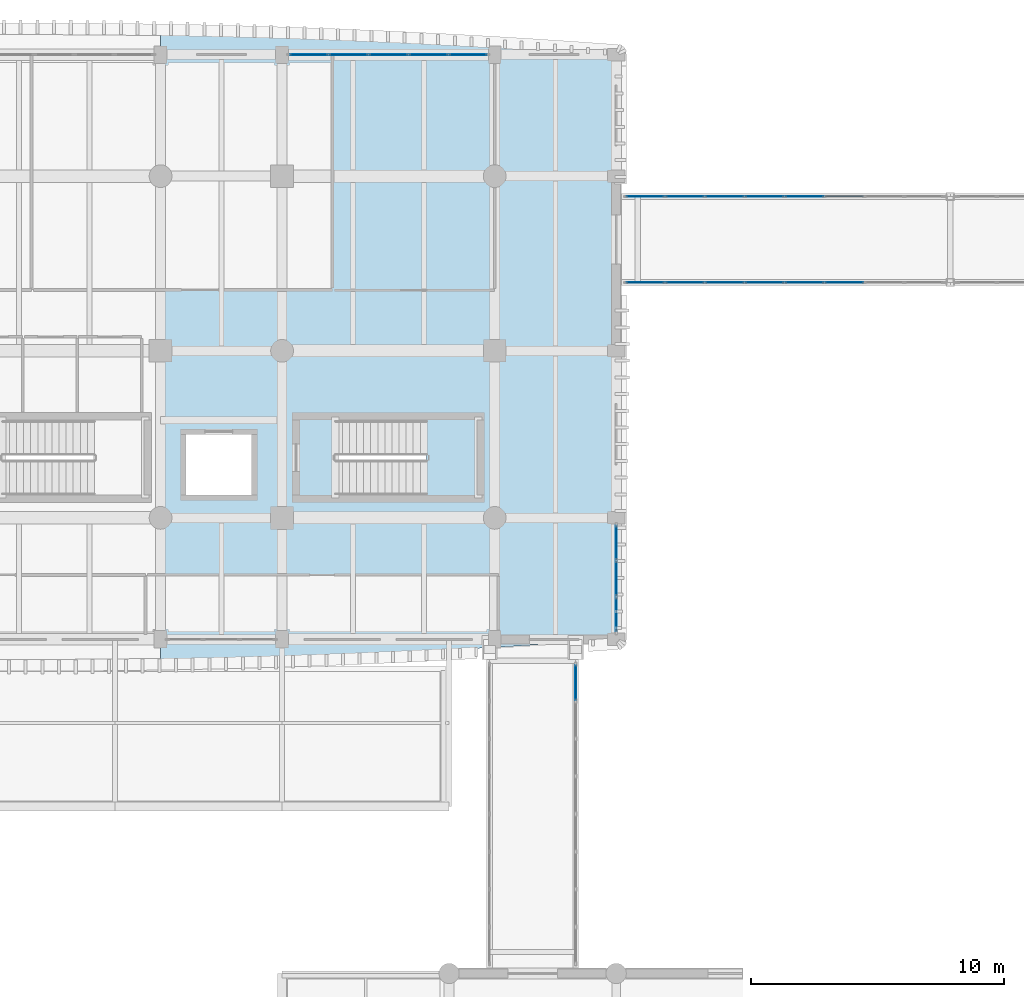
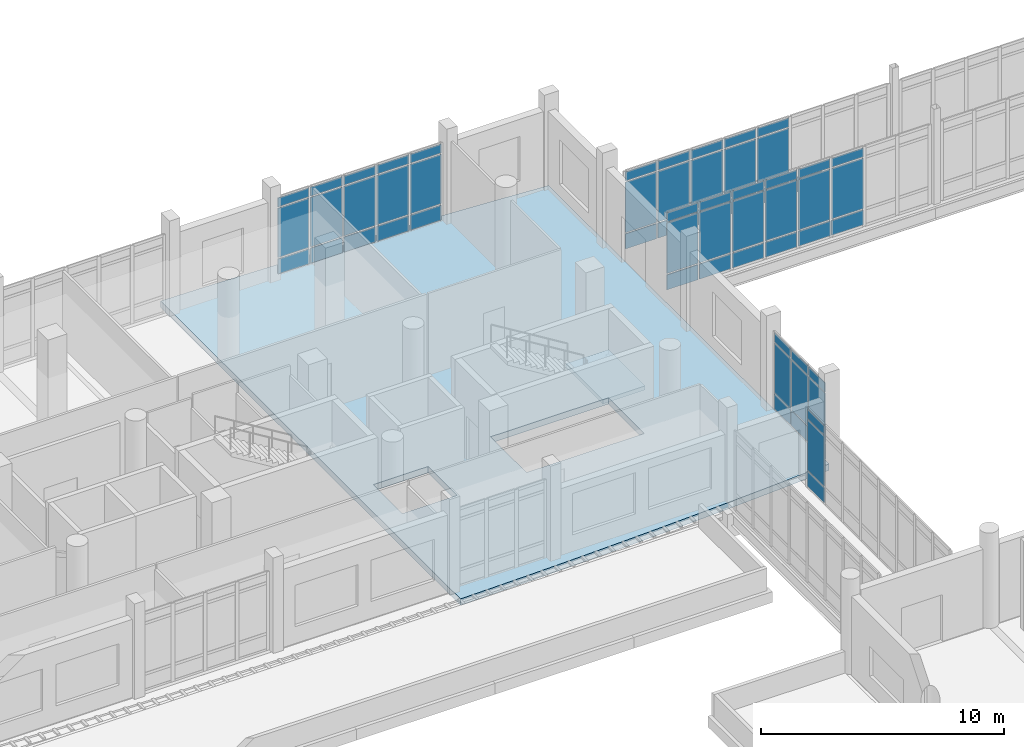
# One storey, part 68 of 125: 61 plates, 2 slabs, 6 elements without a shape of their own.
"""IFC4 building model written with IfcOpenShell, lengths in metres."""

from ifc_helpers import new_model, si_unit, direction, frame, origin, origin_2d, place, context, subcontext, project, spatial, polyline, rectangle, outline, extrude, material, layer, layer_set, type_object, element, aggregate, save


model = new_model("IFC4")

# Units and contexts
model_context = context("Model", 3, precision=1e-05, world=origin(), true_north=direction((0.0, 1.0)))
body_context = subcontext(model_context, "Body", "Model", "MODEL_VIEW")
ifc_project = project(units=[si_unit("LENGTHUNIT", "METRE"), si_unit("AREAUNIT", "SQUARE_METRE"), si_unit("VOLUMEUNIT", "CUBIC_METRE"), si_unit("PLANEANGLEUNIT", "RADIAN"), si_unit("MASSUNIT", "GRAM", prefix="KILO")], contexts=[model_context])

# Site, building, storey
site_placement = place(None, origin())
site = spatial("IfcSite", under=ifc_project, at=site_placement, CompositionType="ELEMENT")
building_placement = place(site_placement, origin())
building = spatial("IfcBuilding", under=site, at=building_placement, Name="Dornvale Research Institute", CompositionType="ELEMENT")
storey_placement = place(building_placement, frame((0.0, 0.0, 5.39990234375)))
storey = spatial("IfcBuildingStorey", under=building, at=storey_placement, Name="L01", CompositionType="ELEMENT", Elevation=5.39990234375)

# Curtain wall, plates
ifc_material_1 = material(Name="Low-E Argon Double Insulating Glazing Unit", Category="glass")
curtain_wall_type_1 = type_object("IfcCurtainWallType", Name="UnitisedCurtainWall_V5_7900x3950", PredefinedType="USERDEFINED", material=ifc_material_1)
curtain_wall_1_placement = place(storey_placement, origin())
curtain_wall_1 = element("IfcCurtainWall", 1, at=curtain_wall_1_placement, inside=storey, type_object=curtain_wall_type_1, Name="L01 V5 unitised curtain wall CW-24 #135", ObjectType="UNITISED CURTAIN WALL", PredefinedType="USERDEFINED")
ifc_material_2 = material(Name="Insulated Ceramic-Frit Spandrel Glass Panel", Category="glass")
ifc_layer_1 = layer(ifc_material_2, 0.0419921875)
ifc_layer_set_1 = layer_set([ifc_layer_1], Name="Insulated Ceramic-Frit Spandrel Glass Panel")
plate_type_1 = type_object("IfcPlateType", Name="CurtainPanel_Spandrel_42", PredefinedType="CURTAIN_PANEL", material=ifc_layer_set_1)
plate_1_placement = place(storey_placement, frame((34.05615234375, 122.10009765625, 0.065185546875), z_axis=(0.0, 0.0, 1.0), x_axis=(1.0, 0.0, 0.0)))
plate_1 = element("IfcPlate", 2, at=plate_1_placement, type_object=plate_type_1, Name="CW-24 panel 1.1", PredefinedType="CURTAIN_PANEL", context=body_context, shape_type="SweptSolid", body=[
    extrude(rectangle(XDim=1.482421875, YDim=0.0419921875, at=origin_2d()), origin(), (0.0, 0.0, 1.0), 0.75244140625),
])
plate_2_placement = place(storey_placement, frame((35.6201171875, 122.10009765625, 0.065185546875), z_axis=(0.0, 0.0, 1.0), x_axis=(1.0, 0.0, 0.0)))
plate_2 = element("IfcPlate", 3, at=plate_2_placement, type_object=plate_type_1, Name="CW-24 panel 2.1", PredefinedType="CURTAIN_PANEL", context=body_context, shape_type="SweptSolid", body=[
    extrude(rectangle(XDim=1.514892578125, YDim=0.0419921875, at=origin_2d()), origin(), (0.0, 0.0, 1.0), 0.75244140625),
])
plate_3_placement = place(storey_placement, frame((37.199951171875, 122.10009765625, 0.065185546875), z_axis=(0.0, 0.0, 1.0), x_axis=(1.0, 0.0, 0.0)))
plate_3 = element("IfcPlate", 4, at=plate_3_placement, type_object=plate_type_1, Name="CW-24 panel 3.1", PredefinedType="CURTAIN_PANEL", context=body_context, shape_type="SweptSolid", body=[
    extrude(rectangle(XDim=1.514892578125, YDim=0.0419921875, at=origin_2d()), origin(), (0.0, 0.0, 1.0), 0.75244140625),
])
plate_4_placement = place(storey_placement, frame((38.780029296875, 122.10009765625, 0.065185546875), z_axis=(0.0, 0.0, 1.0), x_axis=(1.0, 0.0, 0.0)))
plate_4 = element("IfcPlate", 5, at=plate_4_placement, type_object=plate_type_1, Name="CW-24 panel 4.1", PredefinedType="CURTAIN_PANEL", context=body_context, shape_type="SweptSolid", body=[
    extrude(rectangle(XDim=1.514892578125, YDim=0.0419921875, at=origin_2d()), origin(), (0.0, 0.0, 1.0), 0.75244140625),
])
plate_5_placement = place(storey_placement, frame((40.34375, 122.10009765625, 0.065185546875), z_axis=(0.0, 0.0, 1.0), x_axis=(1.0, 0.0, 0.0)))
plate_5 = element("IfcPlate", 6, at=plate_5_placement, type_object=plate_type_1, Name="CW-24 panel 5.1", PredefinedType="CURTAIN_PANEL", context=body_context, shape_type="SweptSolid", body=[
    extrude(rectangle(XDim=1.482421875, YDim=0.0419921875, at=origin_2d()), origin(), (0.0, 0.0, 1.0), 0.75244140625),
])

ifc_material_3 = material(Name="Low-E Argon Double Insulating Glazing Unit", Category="glass")
curtain_wall_type_2 = type_object("IfcCurtainWallType", Name="UnitisedCurtainWall_V5_4300x3950", PredefinedType="USERDEFINED", material=ifc_material_3)
curtain_wall_2_placement = place(storey_placement, origin())
curtain_wall_2 = element("IfcCurtainWall", 7, at=curtain_wall_2_placement, inside=storey, type_object=curtain_wall_type_2, Name="L01 V5 unitised curtain wall CW-25 #136", ObjectType="UNITISED CURTAIN WALL", PredefinedType="USERDEFINED")
plate_6_placement = place(storey_placement, frame((46.199951171875, 102.817138671875, 0.065185546875), z_axis=(0.0, 0.0, 1.0), x_axis=(0.0, -1.0, 0.0)))
plate_6 = element("IfcPlate", 8, at=plate_6_placement, type_object=plate_type_1, Name="CW-25 panel 1.1", PredefinedType="CURTAIN_PANEL", context=body_context, shape_type="SweptSolid", body=[
    extrude(rectangle(XDim=1.3359375, YDim=0.0419921875, at=origin_2d()), origin(), (0.0, 0.0, 1.0), 0.75244140625),
])
plate_7_placement = place(storey_placement, frame((46.199951171875, 101.39990234375, 0.065185546875), z_axis=(0.0, 0.0, 1.0), x_axis=(0.0, -1.0, 0.0)))
plate_7 = element("IfcPlate", 9, at=plate_7_placement, type_object=plate_type_1, Name="CW-25 panel 2.1", PredefinedType="CURTAIN_PANEL", context=body_context, shape_type="SweptSolid", body=[
    extrude(rectangle(XDim=1.368408203125, YDim=0.0419921875, at=origin_2d()), origin(), (0.0, 0.0, 1.0), 0.75244140625),
])
plate_8_placement = place(storey_placement, frame((46.199951171875, 99.98291015625, 0.065185546875), z_axis=(0.0, 0.0, 1.0), x_axis=(0.0, -1.0, 0.0)))
plate_8 = element("IfcPlate", 10, at=plate_8_placement, type_object=plate_type_1, Name="CW-25 panel 3.1", PredefinedType="CURTAIN_PANEL", context=body_context, shape_type="SweptSolid", body=[
    extrude(rectangle(XDim=1.3359375, YDim=0.0419921875, at=origin_2d()), origin(), (0.0, 0.0, 1.0), 0.75244140625),
])

# Curtain wall, plate
ifc_material_4 = material(Name="Low-E Argon Double Insulating Glazing Unit", Category="glass")
curtain_wall_type_3 = type_object("IfcCurtainWallType", Name="UnitisedCurtainWall_V2_11900x4000", PredefinedType="USERDEFINED", material=ifc_material_4)
curtain_wall_3_placement = place(storey_placement, origin())
curtain_wall_3 = element("IfcCurtainWall", 11, at=curtain_wall_3_placement, inside=storey, type_object=curtain_wall_type_3, Name="L01 V2 unitised curtain wall CW-40 #208", ObjectType="UNITISED CURTAIN WALL", PredefinedType="USERDEFINED")
plate_9_placement = place(storey_placement, frame((44.60009765625, 97.2900390625, 0.065185546875), z_axis=(0.0, 0.0, 1.0), x_axis=(0.0, -1.0, 0.0)))
plate_9 = element("IfcPlate", 12, at=plate_9_placement, type_object=plate_type_1, Name="CW-40 panel 1.1", PredefinedType="CURTAIN_PANEL", context=body_context, shape_type="SweptSolid", body=[
    extrude(rectangle(XDim=1.389892578125, YDim=0.0419921875, at=origin_2d()), origin(), (0.0, 0.0, 1.0), 0.75244140625),
])

# Curtain wall, plates
ifc_material_5 = material(Name="Low-E Argon Double Insulating Glazing Unit", Category="glass")
curtain_wall_type_4 = type_object("IfcCurtainWallType", Name="UnitisedCurtainWall_V2_12600x4000", PredefinedType="USERDEFINED", material=ifc_material_5)
curtain_wall_4_placement = place(storey_placement, origin())
curtain_wall_4 = element("IfcCurtainWall", 13, at=curtain_wall_4_placement, inside=storey, type_object=curtain_wall_type_4, Name="L01 V2 unitised curtain wall CW-41 #211", ObjectType="UNITISED CURTAIN WALL", PredefinedType="USERDEFINED")
plate_10_placement = place(storey_placement, frame((47.353759765625, 116.5, 0.065185546875), z_axis=(0.0, 0.0, 1.0), x_axis=(1.0, 0.0, 0.0)))
plate_10 = element("IfcPlate", 14, at=plate_10_placement, type_object=plate_type_1, Name="CW-41 panel 1.1", PredefinedType="CURTAIN_PANEL", context=body_context, shape_type="SweptSolid", body=[
    extrude(rectangle(XDim=1.4775390625, YDim=0.0419921875, at=origin_2d()), origin(), (0.0, 0.0, 1.0), 0.75244140625),
])
plate_11_placement = place(storey_placement, frame((48.91259765625, 116.5, 0.065185546875), z_axis=(0.0, 0.0, 1.0), x_axis=(1.0, 0.0, 0.0)))
plate_11 = element("IfcPlate", 15, at=plate_11_placement, type_object=plate_type_1, Name="CW-41 panel 2.1", PredefinedType="CURTAIN_PANEL", context=body_context, shape_type="SweptSolid", body=[
    extrude(rectangle(XDim=1.510009765625, YDim=0.0419921875, at=origin_2d()), origin(), (0.0, 0.0, 1.0), 0.75244140625),
])
plate_12_placement = place(storey_placement, frame((50.487548828125, 116.5, 0.065185546875), z_axis=(0.0, 0.0, 1.0), x_axis=(1.0, 0.0, 0.0)))
plate_12 = element("IfcPlate", 16, at=plate_12_placement, type_object=plate_type_1, Name="CW-41 panel 3.1", PredefinedType="CURTAIN_PANEL", context=body_context, shape_type="SweptSolid", body=[
    extrude(rectangle(XDim=1.510009765625, YDim=0.0419921875, at=origin_2d()), origin(), (0.0, 0.0, 1.0), 0.75244140625),
])
plate_13_placement = place(storey_placement, frame((52.0625, 116.5, 0.065185546875), z_axis=(0.0, 0.0, 1.0), x_axis=(1.0, 0.0, 0.0)))
plate_13 = element("IfcPlate", 17, at=plate_13_placement, type_object=plate_type_1, Name="CW-41 panel 4.1", PredefinedType="CURTAIN_PANEL", context=body_context, shape_type="SweptSolid", body=[
    extrude(rectangle(XDim=1.510009765625, YDim=0.0419921875, at=origin_2d()), origin(), (0.0, 0.0, 1.0), 0.75244140625),
])
plate_14_placement = place(storey_placement, frame((53.637451171875, 116.5, 0.065185546875), z_axis=(0.0, 0.0, 1.0), x_axis=(1.0, 0.0, 0.0)))
plate_14 = element("IfcPlate", 18, at=plate_14_placement, type_object=plate_type_1, Name="CW-41 panel 5.1", PredefinedType="CURTAIN_PANEL", context=body_context, shape_type="SweptSolid", body=[
    extrude(rectangle(XDim=1.510009765625, YDim=0.0419921875, at=origin_2d()), origin(), (0.0, 0.0, 1.0), 0.75244140625),
])
plate_15_placement = place(storey_placement, frame((55.21240234375, 116.5, 0.065185546875), z_axis=(0.0, 0.0, 1.0), x_axis=(1.0, 0.0, 0.0)))
plate_15 = element("IfcPlate", 19, at=plate_15_placement, type_object=plate_type_1, Name="CW-41 panel 6.1", PredefinedType="CURTAIN_PANEL", context=body_context, shape_type="SweptSolid", body=[
    extrude(rectangle(XDim=1.510009765625, YDim=0.0419921875, at=origin_2d()), origin(), (0.0, 0.0, 1.0), 0.75244140625),
])

curtain_wall_5_placement = place(storey_placement, origin())
curtain_wall_5 = element("IfcCurtainWall", 20, at=curtain_wall_5_placement, inside=storey, type_object=curtain_wall_type_4, Name="L01 V2 unitised curtain wall CW-41 #212", ObjectType="UNITISED CURTAIN WALL", PredefinedType="USERDEFINED")
plate_16_placement = place(storey_placement, frame((55.21240234375, 113.10009765625, 0.065185546875), z_axis=(0.0, 0.0, 1.0), x_axis=(-1.0, 0.0, 0.0)))
plate_16 = element("IfcPlate", 21, at=plate_16_placement, type_object=plate_type_1, Name="CW-41 panel 3.1", PredefinedType="CURTAIN_PANEL", context=body_context, shape_type="SweptSolid", body=[
    extrude(rectangle(XDim=1.510009765625, YDim=0.0419921875, at=origin_2d()), origin(), (0.0, 0.0, 1.0), 0.75244140625),
])
plate_17_placement = place(storey_placement, frame((53.637451171875, 113.10009765625, 0.065185546875), z_axis=(0.0, 0.0, 1.0), x_axis=(-1.0, 0.0, 0.0)))
plate_17 = element("IfcPlate", 22, at=plate_17_placement, type_object=plate_type_1, Name="CW-41 panel 4.1", PredefinedType="CURTAIN_PANEL", context=body_context, shape_type="SweptSolid", body=[
    extrude(rectangle(XDim=1.510009765625, YDim=0.0419921875, at=origin_2d()), origin(), (0.0, 0.0, 1.0), 0.75244140625),
])
plate_18_placement = place(storey_placement, frame((52.0625, 113.10009765625, 0.065185546875), z_axis=(0.0, 0.0, 1.0), x_axis=(-1.0, 0.0, 0.0)))
plate_18 = element("IfcPlate", 23, at=plate_18_placement, type_object=plate_type_1, Name="CW-41 panel 5.1", PredefinedType="CURTAIN_PANEL", context=body_context, shape_type="SweptSolid", body=[
    extrude(rectangle(XDim=1.510009765625, YDim=0.0419921875, at=origin_2d()), origin(), (0.0, 0.0, 1.0), 0.75244140625),
])
plate_19_placement = place(storey_placement, frame((50.487548828125, 113.10009765625, 0.065185546875), z_axis=(0.0, 0.0, 1.0), x_axis=(-1.0, 0.0, 0.0)))
plate_19 = element("IfcPlate", 24, at=plate_19_placement, type_object=plate_type_1, Name="CW-41 panel 6.1", PredefinedType="CURTAIN_PANEL", context=body_context, shape_type="SweptSolid", body=[
    extrude(rectangle(XDim=1.510009765625, YDim=0.0419921875, at=origin_2d()), origin(), (0.0, 0.0, 1.0), 0.75244140625),
])
plate_20_placement = place(storey_placement, frame((48.91259765625, 113.10009765625, 0.065185546875), z_axis=(0.0, 0.0, 1.0), x_axis=(-1.0, 0.0, 0.0)))
plate_20 = element("IfcPlate", 25, at=plate_20_placement, type_object=plate_type_1, Name="CW-41 panel 7.1", PredefinedType="CURTAIN_PANEL", context=body_context, shape_type="SweptSolid", body=[
    extrude(rectangle(XDim=1.510009765625, YDim=0.0419921875, at=origin_2d()), origin(), (0.0, 0.0, 1.0), 0.75244140625),
])
plate_21_placement = place(storey_placement, frame((47.353759765625, 113.10009765625, 0.065185546875), z_axis=(0.0, 0.0, 1.0), x_axis=(-1.0, 0.0, 0.0)))
plate_21 = element("IfcPlate", 26, at=plate_21_placement, type_object=plate_type_1, Name="CW-41 panel 8.1", PredefinedType="CURTAIN_PANEL", context=body_context, shape_type="SweptSolid", body=[
    extrude(rectangle(XDim=1.4775390625, YDim=0.0419921875, at=origin_2d()), origin(), (0.0, 0.0, 1.0), 0.75244140625),
])

# Plate
ifc_material_6 = material(Name="Low-E Argon Double Insulating Glazing Unit", Category="glass")
ifc_layer_2 = layer(ifc_material_6, 0.028076171875)
ifc_layer_set_2 = layer_set([ifc_layer_2], Name="Low-E Argon Double Insulating Glazing Unit")
plate_type_2 = type_object("IfcPlateType", Name="CurtainPanel_Vision_28", PredefinedType="CURTAIN_PANEL", material=ifc_layer_set_2)
plate_22_placement = place(storey_placement, frame((34.05615234375, 122.10009765625, 0.88232421875), z_axis=(0.0, 0.0, 1.0), x_axis=(1.0, 0.0, 0.0)))
plate_22 = element("IfcPlate", 27, at=plate_22_placement, type_object=plate_type_2, Name="CW-24 panel 1.2", PredefinedType="CURTAIN_PANEL", context=body_context, shape_type="SweptSolid", body=[
    extrude(rectangle(XDim=1.482421875, YDim=0.028076171875, at=origin_2d()), origin(), (0.0, 0.0, 1.0), 2.485107421875),
])

plate_23_placement = place(storey_placement, frame((34.05615234375, 122.10009765625, 3.4326171875), z_axis=(0.0, 0.0, 1.0), x_axis=(1.0, 0.0, 0.0)))
plate_23 = element("IfcPlate", 28, at=plate_23_placement, type_object=plate_type_2, Name="CW-24 panel 1.3", PredefinedType="CURTAIN_PANEL", context=body_context, shape_type="SweptSolid", body=[
    extrude(rectangle(XDim=1.482421875, YDim=0.028076171875, at=origin_2d()), origin(), (0.0, 0.0, 1.0), 0.452392578125),
])

plate_24_placement = place(storey_placement, frame((35.6201171875, 122.10009765625, 0.88232421875), z_axis=(0.0, 0.0, 1.0), x_axis=(1.0, 0.0, 0.0)))
plate_24 = element("IfcPlate", 29, at=plate_24_placement, type_object=plate_type_2, Name="CW-24 panel 2.2", PredefinedType="CURTAIN_PANEL", context=body_context, shape_type="SweptSolid", body=[
    extrude(rectangle(XDim=1.514892578125, YDim=0.028076171875, at=origin_2d()), origin(), (0.0, 0.0, 1.0), 2.485107421875),
])

plate_25_placement = place(storey_placement, frame((35.6201171875, 122.10009765625, 3.4326171875), z_axis=(0.0, 0.0, 1.0), x_axis=(1.0, 0.0, 0.0)))
plate_25 = element("IfcPlate", 30, at=plate_25_placement, type_object=plate_type_2, Name="CW-24 panel 2.3", PredefinedType="CURTAIN_PANEL", context=body_context, shape_type="SweptSolid", body=[
    extrude(rectangle(XDim=1.514892578125, YDim=0.028076171875, at=origin_2d()), origin(), (0.0, 0.0, 1.0), 0.452392578125),
])

plate_26_placement = place(storey_placement, frame((37.199951171875, 122.10009765625, 0.88232421875), z_axis=(0.0, 0.0, 1.0), x_axis=(1.0, 0.0, 0.0)))
plate_26 = element("IfcPlate", 31, at=plate_26_placement, type_object=plate_type_2, Name="CW-24 panel 3.2", PredefinedType="CURTAIN_PANEL", context=body_context, shape_type="SweptSolid", body=[
    extrude(rectangle(XDim=1.514892578125, YDim=0.028076171875, at=origin_2d()), origin(), (0.0, 0.0, 1.0), 2.485107421875),
])

plate_27_placement = place(storey_placement, frame((37.199951171875, 122.10009765625, 3.4326171875), z_axis=(0.0, 0.0, 1.0), x_axis=(1.0, 0.0, 0.0)))
plate_27 = element("IfcPlate", 32, at=plate_27_placement, type_object=plate_type_2, Name="CW-24 panel 3.3", PredefinedType="CURTAIN_PANEL", context=body_context, shape_type="SweptSolid", body=[
    extrude(rectangle(XDim=1.514892578125, YDim=0.028076171875, at=origin_2d()), origin(), (0.0, 0.0, 1.0), 0.452392578125),
])

plate_28_placement = place(storey_placement, frame((38.780029296875, 122.10009765625, 0.88232421875), z_axis=(0.0, 0.0, 1.0), x_axis=(1.0, 0.0, 0.0)))
plate_28 = element("IfcPlate", 33, at=plate_28_placement, type_object=plate_type_2, Name="CW-24 panel 4.2", PredefinedType="CURTAIN_PANEL", context=body_context, shape_type="SweptSolid", body=[
    extrude(rectangle(XDim=1.514892578125, YDim=0.028076171875, at=origin_2d()), origin(), (0.0, 0.0, 1.0), 2.485107421875),
])

plate_29_placement = place(storey_placement, frame((38.780029296875, 122.10009765625, 3.4326171875), z_axis=(0.0, 0.0, 1.0), x_axis=(1.0, 0.0, 0.0)))
plate_29 = element("IfcPlate", 34, at=plate_29_placement, type_object=plate_type_2, Name="CW-24 panel 4.3", PredefinedType="CURTAIN_PANEL", context=body_context, shape_type="SweptSolid", body=[
    extrude(rectangle(XDim=1.514892578125, YDim=0.028076171875, at=origin_2d()), origin(), (0.0, 0.0, 1.0), 0.452392578125),
])

plate_30_placement = place(storey_placement, frame((40.34375, 122.10009765625, 0.88232421875), z_axis=(0.0, 0.0, 1.0), x_axis=(1.0, 0.0, 0.0)))
plate_30 = element("IfcPlate", 35, at=plate_30_placement, type_object=plate_type_2, Name="CW-24 panel 5.2", PredefinedType="CURTAIN_PANEL", context=body_context, shape_type="SweptSolid", body=[
    extrude(rectangle(XDim=1.482421875, YDim=0.028076171875, at=origin_2d()), origin(), (0.0, 0.0, 1.0), 2.485107421875),
])

plate_31_placement = place(storey_placement, frame((40.34375, 122.10009765625, 3.4326171875), z_axis=(0.0, 0.0, 1.0), x_axis=(1.0, 0.0, 0.0)))
plate_31 = element("IfcPlate", 36, at=plate_31_placement, type_object=plate_type_2, Name="CW-24 panel 5.3", PredefinedType="CURTAIN_PANEL", context=body_context, shape_type="SweptSolid", body=[
    extrude(rectangle(XDim=1.482421875, YDim=0.028076171875, at=origin_2d()), origin(), (0.0, 0.0, 1.0), 0.452392578125),
])

aggregate(curtain_wall_1, [plate_1, plate_22, plate_23, plate_2, plate_24, plate_25, plate_3, plate_26, plate_27, plate_4, plate_28, plate_29, plate_5, plate_30, plate_31])

plate_32_placement = place(storey_placement, frame((46.199951171875, 102.817138671875, 0.88232421875), z_axis=(0.0, 0.0, 1.0), x_axis=(0.0, -1.0, 0.0)))
plate_32 = element("IfcPlate", 37, at=plate_32_placement, type_object=plate_type_2, Name="CW-25 panel 1.2", PredefinedType="CURTAIN_PANEL", context=body_context, shape_type="SweptSolid", body=[
    extrude(rectangle(XDim=1.3359375, YDim=0.028076171875, at=origin_2d()), origin(), (0.0, 0.0, 1.0), 2.485107421875),
])

plate_33_placement = place(storey_placement, frame((46.199951171875, 102.817138671875, 3.4326171875), z_axis=(0.0, 0.0, 1.0), x_axis=(0.0, -1.0, 0.0)))
plate_33 = element("IfcPlate", 38, at=plate_33_placement, type_object=plate_type_2, Name="CW-25 panel 1.3", PredefinedType="CURTAIN_PANEL", context=body_context, shape_type="SweptSolid", body=[
    extrude(rectangle(XDim=1.3359375, YDim=0.028076171875, at=origin_2d()), origin(), (0.0, 0.0, 1.0), 0.452392578125),
])

plate_34_placement = place(storey_placement, frame((46.199951171875, 101.39990234375, 0.88232421875), z_axis=(0.0, 0.0, 1.0), x_axis=(0.0, -1.0, 0.0)))
plate_34 = element("IfcPlate", 39, at=plate_34_placement, type_object=plate_type_2, Name="CW-25 panel 2.2", PredefinedType="CURTAIN_PANEL", context=body_context, shape_type="SweptSolid", body=[
    extrude(rectangle(XDim=1.368408203125, YDim=0.028076171875, at=origin_2d()), origin(), (0.0, 0.0, 1.0), 2.485107421875),
])

plate_35_placement = place(storey_placement, frame((46.199951171875, 101.39990234375, 3.4326171875), z_axis=(0.0, 0.0, 1.0), x_axis=(0.0, -1.0, 0.0)))
plate_35 = element("IfcPlate", 40, at=plate_35_placement, type_object=plate_type_2, Name="CW-25 panel 2.3", PredefinedType="CURTAIN_PANEL", context=body_context, shape_type="SweptSolid", body=[
    extrude(rectangle(XDim=1.368408203125, YDim=0.028076171875, at=origin_2d()), origin(), (0.0, 0.0, 1.0), 0.452392578125),
])

plate_36_placement = place(storey_placement, frame((46.199951171875, 99.98291015625, 0.88232421875), z_axis=(0.0, 0.0, 1.0), x_axis=(0.0, -1.0, 0.0)))
plate_36 = element("IfcPlate", 41, at=plate_36_placement, type_object=plate_type_2, Name="CW-25 panel 3.2", PredefinedType="CURTAIN_PANEL", context=body_context, shape_type="SweptSolid", body=[
    extrude(rectangle(XDim=1.3359375, YDim=0.028076171875, at=origin_2d()), origin(), (0.0, 0.0, 1.0), 2.485107421875),
])

plate_37_placement = place(storey_placement, frame((46.199951171875, 99.98291015625, 3.4326171875), z_axis=(0.0, 0.0, 1.0), x_axis=(0.0, -1.0, 0.0)))
plate_37 = element("IfcPlate", 42, at=plate_37_placement, type_object=plate_type_2, Name="CW-25 panel 3.3", PredefinedType="CURTAIN_PANEL", context=body_context, shape_type="SweptSolid", body=[
    extrude(rectangle(XDim=1.3359375, YDim=0.028076171875, at=origin_2d()), origin(), (0.0, 0.0, 1.0), 0.452392578125),
])

aggregate(curtain_wall_2, [plate_6, plate_32, plate_33, plate_7, plate_34, plate_35, plate_8, plate_36, plate_37])

plate_38_placement = place(storey_placement, frame((44.60009765625, 97.2900390625, 0.8828125), z_axis=(0.0, 0.0, 1.0), x_axis=(0.0, -1.0, 0.0)))
plate_38 = element("IfcPlate", 43, at=plate_38_placement, type_object=plate_type_2, Name="CW-40 panel 1.2", PredefinedType="CURTAIN_PANEL", context=body_context, shape_type="SweptSolid", body=[
    extrude(rectangle(XDim=1.389892578125, YDim=0.028076171875, at=origin_2d()), origin(), (0.0, 0.0, 1.0), 2.534912109375),
])

plate_39_placement = place(storey_placement, frame((44.60009765625, 97.2900390625, 3.482421875), z_axis=(0.0, 0.0, 1.0), x_axis=(0.0, -1.0, 0.0)))
plate_39 = element("IfcPlate", 44, at=plate_39_placement, type_object=plate_type_2, Name="CW-40 panel 1.3", PredefinedType="CURTAIN_PANEL", context=body_context, shape_type="SweptSolid", body=[
    extrude(rectangle(XDim=1.389892578125, YDim=0.028076171875, at=origin_2d()), origin(), (0.0, 0.0, 1.0), 0.452392578125),
])

aggregate(curtain_wall_3, [plate_9, plate_38, plate_39])

plate_40_placement = place(storey_placement, frame((47.353759765625, 116.5, 0.8828125), z_axis=(0.0, 0.0, 1.0), x_axis=(1.0, 0.0, 0.0)))
plate_40 = element("IfcPlate", 45, at=plate_40_placement, type_object=plate_type_2, Name="CW-41 panel 1.2", PredefinedType="CURTAIN_PANEL", context=body_context, shape_type="SweptSolid", body=[
    extrude(rectangle(XDim=1.4775390625, YDim=0.028076171875, at=origin_2d()), origin(), (0.0, 0.0, 1.0), 2.534912109375),
])

plate_41_placement = place(storey_placement, frame((47.353759765625, 116.5, 3.482421875), z_axis=(0.0, 0.0, 1.0), x_axis=(1.0, 0.0, 0.0)))
plate_41 = element("IfcPlate", 46, at=plate_41_placement, type_object=plate_type_2, Name="CW-41 panel 1.3", PredefinedType="CURTAIN_PANEL", context=body_context, shape_type="SweptSolid", body=[
    extrude(rectangle(XDim=1.4775390625, YDim=0.028076171875, at=origin_2d()), origin(), (0.0, 0.0, 1.0), 0.452392578125),
])

plate_42_placement = place(storey_placement, frame((48.91259765625, 116.5, 0.8828125), z_axis=(0.0, 0.0, 1.0), x_axis=(1.0, 0.0, 0.0)))
plate_42 = element("IfcPlate", 47, at=plate_42_placement, type_object=plate_type_2, Name="CW-41 panel 2.2", PredefinedType="CURTAIN_PANEL", context=body_context, shape_type="SweptSolid", body=[
    extrude(rectangle(XDim=1.510009765625, YDim=0.028076171875, at=origin_2d()), origin(), (0.0, 0.0, 1.0), 2.534912109375),
])

plate_43_placement = place(storey_placement, frame((48.91259765625, 116.5, 3.482421875), z_axis=(0.0, 0.0, 1.0), x_axis=(1.0, 0.0, 0.0)))
plate_43 = element("IfcPlate", 48, at=plate_43_placement, type_object=plate_type_2, Name="CW-41 panel 2.3", PredefinedType="CURTAIN_PANEL", context=body_context, shape_type="SweptSolid", body=[
    extrude(rectangle(XDim=1.510009765625, YDim=0.028076171875, at=origin_2d()), origin(), (0.0, 0.0, 1.0), 0.452392578125),
])

plate_44_placement = place(storey_placement, frame((50.487548828125, 116.5, 0.8828125), z_axis=(0.0, 0.0, 1.0), x_axis=(1.0, 0.0, 0.0)))
plate_44 = element("IfcPlate", 49, at=plate_44_placement, type_object=plate_type_2, Name="CW-41 panel 3.2", PredefinedType="CURTAIN_PANEL", context=body_context, shape_type="SweptSolid", body=[
    extrude(rectangle(XDim=1.510009765625, YDim=0.028076171875, at=origin_2d()), origin(), (0.0, 0.0, 1.0), 2.534912109375),
])

plate_45_placement = place(storey_placement, frame((50.487548828125, 116.5, 3.482421875), z_axis=(0.0, 0.0, 1.0), x_axis=(1.0, 0.0, 0.0)))
plate_45 = element("IfcPlate", 50, at=plate_45_placement, type_object=plate_type_2, Name="CW-41 panel 3.3", PredefinedType="CURTAIN_PANEL", context=body_context, shape_type="SweptSolid", body=[
    extrude(rectangle(XDim=1.510009765625, YDim=0.028076171875, at=origin_2d()), origin(), (0.0, 0.0, 1.0), 0.452392578125),
])

plate_46_placement = place(storey_placement, frame((52.0625, 116.5, 0.8828125), z_axis=(0.0, 0.0, 1.0), x_axis=(1.0, 0.0, 0.0)))
plate_46 = element("IfcPlate", 51, at=plate_46_placement, type_object=plate_type_2, Name="CW-41 panel 4.2", PredefinedType="CURTAIN_PANEL", context=body_context, shape_type="SweptSolid", body=[
    extrude(rectangle(XDim=1.510009765625, YDim=0.028076171875, at=origin_2d()), origin(), (0.0, 0.0, 1.0), 2.534912109375),
])

plate_47_placement = place(storey_placement, frame((52.0625, 116.5, 3.482421875), z_axis=(0.0, 0.0, 1.0), x_axis=(1.0, 0.0, 0.0)))
plate_47 = element("IfcPlate", 52, at=plate_47_placement, type_object=plate_type_2, Name="CW-41 panel 4.3", PredefinedType="CURTAIN_PANEL", context=body_context, shape_type="SweptSolid", body=[
    extrude(rectangle(XDim=1.510009765625, YDim=0.028076171875, at=origin_2d()), origin(), (0.0, 0.0, 1.0), 0.452392578125),
])

plate_48_placement = place(storey_placement, frame((53.637451171875, 116.5, 0.8828125), z_axis=(0.0, 0.0, 1.0), x_axis=(1.0, 0.0, 0.0)))
plate_48 = element("IfcPlate", 53, at=plate_48_placement, type_object=plate_type_2, Name="CW-41 panel 5.2", PredefinedType="CURTAIN_PANEL", context=body_context, shape_type="SweptSolid", body=[
    extrude(rectangle(XDim=1.510009765625, YDim=0.028076171875, at=origin_2d()), origin(), (0.0, 0.0, 1.0), 2.534912109375),
])

plate_49_placement = place(storey_placement, frame((53.637451171875, 116.5, 3.482421875), z_axis=(0.0, 0.0, 1.0), x_axis=(1.0, 0.0, 0.0)))
plate_49 = element("IfcPlate", 54, at=plate_49_placement, type_object=plate_type_2, Name="CW-41 panel 5.3", PredefinedType="CURTAIN_PANEL", context=body_context, shape_type="SweptSolid", body=[
    extrude(rectangle(XDim=1.510009765625, YDim=0.028076171875, at=origin_2d()), origin(), (0.0, 0.0, 1.0), 0.452392578125),
])

aggregate(curtain_wall_4, [plate_10, plate_40, plate_41, plate_11, plate_42, plate_43, plate_12, plate_44, plate_45, plate_13, plate_46, plate_47, plate_14, plate_48, plate_49, plate_15])

plate_50_placement = place(storey_placement, frame((55.21240234375, 113.10009765625, 0.8828125), z_axis=(0.0, 0.0, 1.0), x_axis=(-1.0, 0.0, 0.0)))
plate_50 = element("IfcPlate", 55, at=plate_50_placement, type_object=plate_type_2, Name="CW-41 panel 3.2", PredefinedType="CURTAIN_PANEL", context=body_context, shape_type="SweptSolid", body=[
    extrude(rectangle(XDim=1.510009765625, YDim=0.028076171875, at=origin_2d()), origin(), (0.0, 0.0, 1.0), 2.534912109375),
])

plate_51_placement = place(storey_placement, frame((55.21240234375, 113.10009765625, 3.482421875), z_axis=(0.0, 0.0, 1.0), x_axis=(-1.0, 0.0, 0.0)))
plate_51 = element("IfcPlate", 56, at=plate_51_placement, type_object=plate_type_2, Name="CW-41 panel 3.3", PredefinedType="CURTAIN_PANEL", context=body_context, shape_type="SweptSolid", body=[
    extrude(rectangle(XDim=1.510009765625, YDim=0.028076171875, at=origin_2d()), origin(), (0.0, 0.0, 1.0), 0.452392578125),
])

plate_52_placement = place(storey_placement, frame((53.637451171875, 113.10009765625, 0.8828125), z_axis=(0.0, 0.0, 1.0), x_axis=(-1.0, 0.0, 0.0)))
plate_52 = element("IfcPlate", 57, at=plate_52_placement, type_object=plate_type_2, Name="CW-41 panel 4.2", PredefinedType="CURTAIN_PANEL", context=body_context, shape_type="SweptSolid", body=[
    extrude(rectangle(XDim=1.510009765625, YDim=0.028076171875, at=origin_2d()), origin(), (0.0, 0.0, 1.0), 2.534912109375),
])

plate_53_placement = place(storey_placement, frame((53.637451171875, 113.10009765625, 3.482421875), z_axis=(0.0, 0.0, 1.0), x_axis=(-1.0, 0.0, 0.0)))
plate_53 = element("IfcPlate", 58, at=plate_53_placement, type_object=plate_type_2, Name="CW-41 panel 4.3", PredefinedType="CURTAIN_PANEL", context=body_context, shape_type="SweptSolid", body=[
    extrude(rectangle(XDim=1.510009765625, YDim=0.028076171875, at=origin_2d()), origin(), (0.0, 0.0, 1.0), 0.452392578125),
])

plate_54_placement = place(storey_placement, frame((52.0625, 113.10009765625, 0.8828125), z_axis=(0.0, 0.0, 1.0), x_axis=(-1.0, 0.0, 0.0)))
plate_54 = element("IfcPlate", 59, at=plate_54_placement, type_object=plate_type_2, Name="CW-41 panel 5.2", PredefinedType="CURTAIN_PANEL", context=body_context, shape_type="SweptSolid", body=[
    extrude(rectangle(XDim=1.510009765625, YDim=0.028076171875, at=origin_2d()), origin(), (0.0, 0.0, 1.0), 2.534912109375),
])

plate_55_placement = place(storey_placement, frame((52.0625, 113.10009765625, 3.482421875), z_axis=(0.0, 0.0, 1.0), x_axis=(-1.0, 0.0, 0.0)))
plate_55 = element("IfcPlate", 60, at=plate_55_placement, type_object=plate_type_2, Name="CW-41 panel 5.3", PredefinedType="CURTAIN_PANEL", context=body_context, shape_type="SweptSolid", body=[
    extrude(rectangle(XDim=1.510009765625, YDim=0.028076171875, at=origin_2d()), origin(), (0.0, 0.0, 1.0), 0.452392578125),
])

plate_56_placement = place(storey_placement, frame((50.487548828125, 113.10009765625, 0.8828125), z_axis=(0.0, 0.0, 1.0), x_axis=(-1.0, 0.0, 0.0)))
plate_56 = element("IfcPlate", 61, at=plate_56_placement, type_object=plate_type_2, Name="CW-41 panel 6.2", PredefinedType="CURTAIN_PANEL", context=body_context, shape_type="SweptSolid", body=[
    extrude(rectangle(XDim=1.510009765625, YDim=0.028076171875, at=origin_2d()), origin(), (0.0, 0.0, 1.0), 2.534912109375),
])

plate_57_placement = place(storey_placement, frame((50.487548828125, 113.10009765625, 3.482421875), z_axis=(0.0, 0.0, 1.0), x_axis=(-1.0, 0.0, 0.0)))
plate_57 = element("IfcPlate", 62, at=plate_57_placement, type_object=plate_type_2, Name="CW-41 panel 6.3", PredefinedType="CURTAIN_PANEL", context=body_context, shape_type="SweptSolid", body=[
    extrude(rectangle(XDim=1.510009765625, YDim=0.028076171875, at=origin_2d()), origin(), (0.0, 0.0, 1.0), 0.452392578125),
])

plate_58_placement = place(storey_placement, frame((48.91259765625, 113.10009765625, 0.8828125), z_axis=(0.0, 0.0, 1.0), x_axis=(-1.0, 0.0, 0.0)))
plate_58 = element("IfcPlate", 63, at=plate_58_placement, type_object=plate_type_2, Name="CW-41 panel 7.2", PredefinedType="CURTAIN_PANEL", context=body_context, shape_type="SweptSolid", body=[
    extrude(rectangle(XDim=1.510009765625, YDim=0.028076171875, at=origin_2d()), origin(), (0.0, 0.0, 1.0), 2.534912109375),
])

plate_59_placement = place(storey_placement, frame((48.91259765625, 113.10009765625, 3.482421875), z_axis=(0.0, 0.0, 1.0), x_axis=(-1.0, 0.0, 0.0)))
plate_59 = element("IfcPlate", 64, at=plate_59_placement, type_object=plate_type_2, Name="CW-41 panel 7.3", PredefinedType="CURTAIN_PANEL", context=body_context, shape_type="SweptSolid", body=[
    extrude(rectangle(XDim=1.510009765625, YDim=0.028076171875, at=origin_2d()), origin(), (0.0, 0.0, 1.0), 0.452392578125),
])

plate_60_placement = place(storey_placement, frame((47.353759765625, 113.10009765625, 0.8828125), z_axis=(0.0, 0.0, 1.0), x_axis=(-1.0, 0.0, 0.0)))
plate_60 = element("IfcPlate", 65, at=plate_60_placement, type_object=plate_type_2, Name="CW-41 panel 8.2", PredefinedType="CURTAIN_PANEL", context=body_context, shape_type="SweptSolid", body=[
    extrude(rectangle(XDim=1.4775390625, YDim=0.028076171875, at=origin_2d()), origin(), (0.0, 0.0, 1.0), 2.534912109375),
])

plate_61_placement = place(storey_placement, frame((47.353759765625, 113.10009765625, 3.482421875), z_axis=(0.0, 0.0, 1.0), x_axis=(-1.0, 0.0, 0.0)))
plate_61 = element("IfcPlate", 66, at=plate_61_placement, type_object=plate_type_2, Name="CW-41 panel 8.3", PredefinedType="CURTAIN_PANEL", context=body_context, shape_type="SweptSolid", body=[
    extrude(rectangle(XDim=1.4775390625, YDim=0.028076171875, at=origin_2d()), origin(), (0.0, 0.0, 1.0), 0.452392578125),
])

aggregate(curtain_wall_5, [plate_16, plate_50, plate_51, plate_17, plate_52, plate_53, plate_18, plate_54, plate_55, plate_19, plate_56, plate_57, plate_20, plate_58, plate_59, plate_21, plate_60, plate_61])

# Slab
ifc_material_7 = material(Name="Concrete f'c 45 MPa (C35/45)", Category="concrete")
ifc_layer_3 = layer(ifc_material_7, 0.320068359375)
ifc_layer_set_3 = layer_set([ifc_layer_3], Name="Concrete f'c 45 MPa (C35/45)")
slab_type_1 = type_object("IfcSlabType", Name="FloorSlab_Lab_320", PredefinedType="FLOOR", material=ifc_layer_set_3)
slab_1_placement = place(storey_placement, frame((0.0, 0.0, -0.31982421875)))
element("IfcSlab", 67, at=slab_1_placement, inside=storey, type_object=slab_type_1, Name="L01 V5 E floor slab", PredefinedType="FLOOR", context=body_context, shape_type="SweptSolid", body=[
    extrude(outline(polyline([(29.699951171875, 122.880615234375), (31.35009765625, 122.841552734375), (33.0, 122.7939453125), (34.64990234375, 122.737548828125), (36.300048828125, 122.67236328125), (37.949951171875, 122.5986328125), (39.60009765625, 122.516357421875), (41.25, 122.42529296875), (42.89990234375, 122.325439453125), (44.550048828125, 122.217041015625), (46.199951171875, 122.10009765625), (46.199951171875, 99.0), (44.550048828125, 98.8828125), (42.89990234375, 98.7744140625), (41.25, 98.6748046875), (39.60009765625, 98.583740234375), (37.949951171875, 98.501220703125), (36.300048828125, 98.427490234375), (34.64990234375, 98.362548828125), (33.0, 98.30615234375), (31.35009765625, 98.25830078125), (29.699951171875, 98.219482421875), (28.199951171875, 98.19189453125), (28.199951171875, 122.908203125), (29.699951171875, 122.880615234375)]), holes=[polyline([(35.10009765625, 104.699951171875), (40.699951171875, 104.699951171875), (40.699951171875, 107.659912109375), (35.10009765625, 107.659912109375), (35.10009765625, 104.699951171875)]), polyline([(29.199951171875, 104.699951171875), (31.800048828125, 104.699951171875), (31.800048828125, 107.10009765625), (29.199951171875, 107.10009765625), (29.199951171875, 104.699951171875)])]), origin(), (0.0, 0.0, 1.0), 0.31982421875),
])

# Stair, slab
ifc_material_8 = material(Name="Concrete f'c 45 MPa (C35/45)", Category="concrete")
stair_type = type_object("IfcStairType", Name="HalfTurnStair_RC", PredefinedType="HALF_TURN_STAIR", material=ifc_material_8)
stair_placement = place(storey_placement, origin())
stair = element("IfcStair", 68, at=stair_placement, inside=storey, type_object=stair_type, Name="L01 Exit stair ST-2", PredefinedType="HALF_TURN_STAIR")
ifc_material_9 = material(Name="Concrete f'c 45 MPa (C35/45)", Category="concrete")
ifc_layer_4 = layer(ifc_material_9, 0.199951171875)
ifc_layer_set_4 = layer_set([ifc_layer_4], Name="Concrete f'c 45 MPa (C35/45)")
slab_type_2 = type_object("IfcSlabType", Name="Landing_Stair_200", PredefinedType="LANDING", material=ifc_layer_set_4)
slab_2_placement = place(storey_placement, frame((0.0, 0.0, 2.2001953125)))
slab_2 = element("IfcSlab", 69, at=slab_2_placement, type_object=slab_type_2, Name="ST-2 landing 1", PredefinedType="LANDING", context=body_context, shape_type="SweptSolid", body=[
    extrude(outline(polyline([(38.7099609375, 104.669921875), (38.7099609375, 107.68994140625), (40.72998046875, 107.68994140625), (40.72998046875, 104.669921875), (38.7099609375, 104.669921875)])), origin(), (0.0, 0.0, 1.0), 0.199951171875),
])
aggregate(stair, [slab_2])

save(model, "model.ifc")
